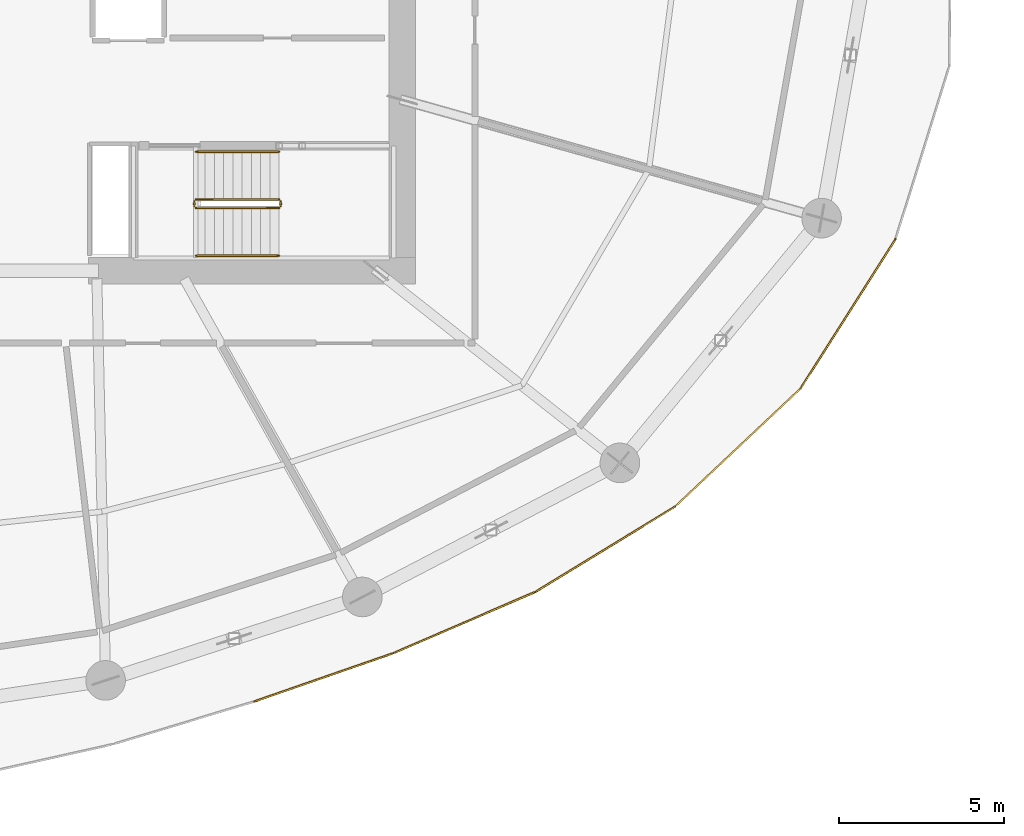
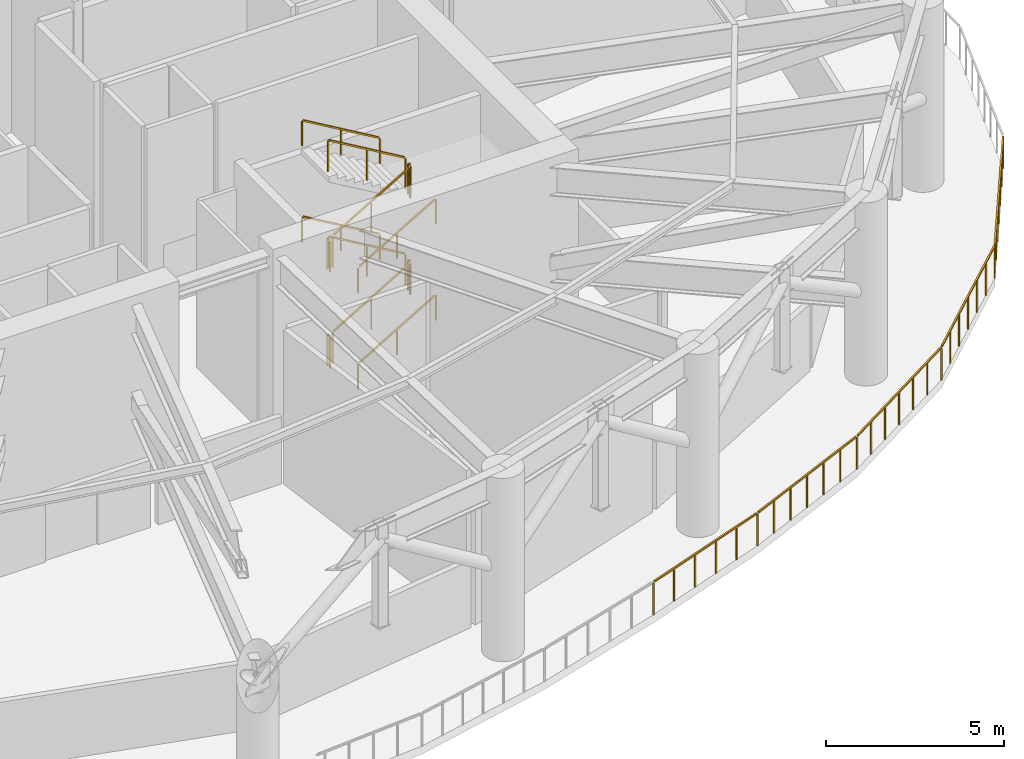
# One storey, part 17 of 19: 17 railings.
"""IFC4 building model written with IfcOpenShell, lengths in metres."""

import ifcopenshell
import ifcopenshell.guid

model = None  # the IFC model being written
_history = None  # IfcOwnerHistory: only IFC2X3 demands one
_inside = {}  # id of a spatial element -> (the spatial element, [elements in it])
_under = {}  # id of a project, library or spatial element -> (it, [spatial elements below it])
_declared = {}  # id of a project -> (the project, [libraries it declares])
_typed = {}  # id of a type object -> (the type object, [elements of that type])
_made_of = {}  # id of a material, layer set ... -> (it, [elements and type objects made of it])


def new_model(schema):
    """Start an empty IFC model of exactly this schema.

    Asked for "IFC4X3", IfcOpenShell would pick the latest addendum, in which some entities
    have other attributes; the version numbers below select the first issue.
    IFC2X3 requires an IfcOwnerHistory on every rooted entity: one is made here for all.
    """
    global model, _history
    if schema == "IFC4X3":
        model = ifcopenshell.file(schema_version=(4, 3, 0, 0))
    else:
        model = ifcopenshell.file(schema=schema)
    _inside.clear()
    _under.clear()
    _declared.clear()
    _typed.clear()
    _made_of.clear()
    _history = None
    if model.schema == "IFC2X3":
        org = make("IfcOrganization", Name="unknown")
        user = make(
            "IfcPersonAndOrganization",
            ThePerson=make("IfcPerson", FamilyName="unknown"),
            TheOrganization=org,
        )
        app = make(
            "IfcApplication",
            ApplicationDeveloper=org,
            Version="unknown",
            ApplicationFullName="unknown",
            ApplicationIdentifier="unknown",
        )
        _history = make(
            "IfcOwnerHistory",
            OwningUser=user,
            OwningApplication=app,
            ChangeAction="ADDED",
            CreationDate=0,
        )
    return model


def make(cls, **values):
    """One entity of the class cls with the attributes given. An attribute that is None is left unset."""
    return model.create_entity(
        cls, **{name: value for name, value in values.items() if value is not None}
    )


def rooted(cls, **values):
    """An entity with a GlobalId (a new one), such as an element, a storey or a relation."""
    return make(cls, GlobalId=ifcopenshell.guid.new(), OwnerHistory=_history, **values)


def si_unit(unit_type, name, prefix=None):
    """IfcSIUnit, for example si_unit("LENGTHUNIT", "METRE", prefix="MILLI")."""
    return make("IfcSIUnit", UnitType=unit_type, Prefix=prefix, Name=name)


def assignment(units):
    """IfcUnitAssignment: the units of a project."""
    return None if units is None else make("IfcUnitAssignment", Units=units)


def point(xyz):
    """IfcCartesianPoint."""
    return None if xyz is None else make("IfcCartesianPoint", Coordinates=xyz)


def direction(xyz):
    """IfcDirection."""
    return None if xyz is None else make("IfcDirection", DirectionRatios=xyz)


def frame(location, z_axis=None, x_axis=None):
    """IfcAxis2Placement3D, a coordinate frame: its origin and axes. An axis left out is left unset."""
    return make(
        "IfcAxis2Placement3D",
        Location=point(location),
        Axis=direction(z_axis),
        RefDirection=direction(x_axis),
    )


def frame_2d(location, x_axis=None):
    """IfcAxis2Placement2D, a coordinate frame in the plane: its origin and x axis."""
    return make(
        "IfcAxis2Placement2D", Location=point(location), RefDirection=direction(x_axis)
    )


def origin():
    """The frame at (0, 0, 0) with its axes left unset."""
    return frame((0.0, 0.0, 0.0))


def origin_2d():
    """The frame at (0, 0) in the plane with its x axis left unset."""
    return frame_2d((0.0, 0.0))


def place(relative_to, where):
    """IfcLocalPlacement: puts the frame where relative to a parent placement (None: the world)."""
    return make(
        "IfcLocalPlacement", PlacementRelTo=relative_to, RelativePlacement=where
    )


def context(
    kind, dimensions, precision=None, world=None, true_north=None, identifier=None
):
    """IfcGeometricRepresentationContext, for example the 3D "Model" context."""
    return make(
        "IfcGeometricRepresentationContext",
        ContextIdentifier=identifier,
        ContextType=kind,
        CoordinateSpaceDimension=dimensions,
        Precision=precision,
        WorldCoordinateSystem=world,
        TrueNorth=true_north,
    )


def subcontext(parent, identifier, kind, view, scale=None):
    """IfcGeometricRepresentationSubContext, for example "Body" below "Model"."""
    return make(
        "IfcGeometricRepresentationSubContext",
        ContextIdentifier=identifier,
        ContextType=kind,
        ParentContext=parent,
        TargetScale=scale,
        TargetView=view,
    )


def project(units=None, contexts=None):
    """IfcProject with its units and contexts."""
    return rooted(
        "IfcProject",
        Name="project",
        RepresentationContexts=contexts,
        UnitsInContext=assignment(units),
    )


def spatial(cls, under=None, at=None, **own):
    """A site, building, storey or space (cls), placed at a placement, below another one or the project."""
    s = rooted(cls, ObjectPlacement=at, **own)
    if under is not None:
        _under.setdefault(under.id(), (under, []))[1].append(s)
    return s


def profile(cls, at=None, kind="AREA", **sizes):
    """A parametric profile (cls). Its sizes go by their IFC names, for example OverallWidth=200.0."""
    return make(cls, ProfileType=kind, Position=at, **sizes)


def rectangle(**sizes):
    """IfcRectangleProfileDef."""
    return profile("IfcRectangleProfileDef", **sizes)


def extrude(swept, where, along, depth):
    """IfcExtrudedAreaSolid: the profile swept, set in the frame where, extruded along a direction by depth."""
    return make(
        "IfcExtrudedAreaSolid",
        SweptArea=swept,
        Position=where,
        ExtrudedDirection=direction(along),
        Depth=depth,
    )


def shape(context_of_items, identifier, shape_type, items):
    """IfcShapeRepresentation: the items that make up one representation, for example the "Body"."""
    return make(
        "IfcShapeRepresentation",
        ContextOfItems=context_of_items,
        RepresentationIdentifier=identifier,
        RepresentationType=shape_type,
        Items=items,
    )


def material(Name=None, Category=None):
    """IfcMaterial."""
    return make("IfcMaterial", Name=Name, Category=Category)


def made_of(thing, what):
    """Note that an element or type object is made of a material, layer set ...; save() writes the relation."""
    if what is not None:
        _made_of.setdefault(what.id(), (what, []))[1].append(thing)
    return thing


def type_object(cls, material=None, **own):
    """A type object (cls), such as IfcWallType, which elements share."""
    return made_of(rooted(cls, **own), material)


def element(
    cls,
    number,
    at=None,
    inside=None,
    cuts=None,
    type_object=None,
    material=None,
    context=None,
    identifier="Body",
    shape_type=None,
    held_by="IfcProductDefinitionShape",
    body=None,
    shapes=None,
    **own,
):
    """One element of the class cls, such as IfcWall. Its Tag is "e" and its number.

    at: its placement. inside: the storey or other place that contains it. cuts: it is an
    opening in that element (IfcRelVoidsElement). A single representation is given by context,
    identifier, shape_type and body (its items); several are given by shapes. held_by: the class
    of the entity that holds the representations. save() writes the other relations.
    """
    e = rooted(cls, Tag="e%d" % number, ObjectPlacement=at, **own)
    if body is not None:
        shapes = [shape(context, identifier, shape_type, body)]
    if shapes is not None:
        e.Representation = make(held_by, Representations=shapes)
    if inside is not None:
        _inside.setdefault(inside.id(), (inside, []))[1].append(e)
    if cuts is not None:
        rooted(
            "IfcRelVoidsElement", RelatingBuildingElement=cuts, RelatedOpeningElement=e
        )
    if type_object is not None:
        _typed.setdefault(type_object.id(), (type_object, []))[1].append(e)
    return made_of(e, material)


def aggregate(whole, parts):
    """IfcRelAggregates: a whole, such as a stair, and the parts it consists of."""
    return rooted("IfcRelAggregates", RelatingObject=whole, RelatedObjects=parts)


def save(model, path):
    """Write the relations noted so far, then the file.

    IfcRelAggregates (storeys below a building ...), IfcRelContainedInSpatialStructure (elements
    in a storey), IfcRelDefinesByType, IfcRelAssociatesMaterial and IfcRelDeclares: one each for
    every whole, place, type object, material and project.
    """
    for whole, parts in _under.values():
        aggregate(whole, parts)
    for where, things in _inside.values():
        rooted(
            "IfcRelContainedInSpatialStructure",
            RelatedElements=things,
            RelatingStructure=where,
        )
    for kind, things in _typed.values():
        rooted("IfcRelDefinesByType", RelatedObjects=things, RelatingType=kind)
    for what, things in _made_of.values():
        rooted("IfcRelAssociatesMaterial", RelatedObjects=things, RelatingMaterial=what)
    for by, libraries in _declared.values():
        rooted("IfcRelDeclares", RelatingContext=by, RelatedDefinitions=libraries)
    model.write(path)


model = new_model("IFC4")

# Units and contexts
model_context = context("Model", 3, precision=1e-05, world=origin(), true_north=direction((0.0, 1.0)))
body_context = subcontext(model_context, "Body", "Model", "MODEL_VIEW")
ifc_project = project(units=[si_unit("LENGTHUNIT", "METRE"), si_unit("AREAUNIT", "SQUARE_METRE"), si_unit("VOLUMEUNIT", "CUBIC_METRE"), si_unit("PLANEANGLEUNIT", "RADIAN"), si_unit("MASSUNIT", "GRAM", prefix="KILO")], contexts=[model_context])

# Site, building, storey
site_placement = place(None, origin())
site = spatial("IfcSite", under=ifc_project, at=site_placement, CompositionType="ELEMENT")
building_placement = place(site_placement, origin())
building = spatial("IfcBuilding", under=site, at=building_placement, Name="Kazma Halo Residences", CompositionType="ELEMENT")
storey_placement = place(building_placement, frame((0.0, 0.0, 116.39990234375)))
storey = spatial("IfcBuildingStorey", under=building, at=storey_placement, Name="L29", CompositionType="ELEMENT", Elevation=116.39990234375)

# Railings
ifc_material_1 = material(Name="Brushed Stainless Steel and Laminated Glass", Category="steel")
railing_type_1 = type_object("IfcRailingType", Name="RLG-EXT-GUARD-1150", PredefinedType="GUARDRAIL", material=ifc_material_1)
railing_1_placement = place(storey_placement, frame((54.971923828125, 20.542724609375, 0.0)))
element("IfcRailing", 1, at=railing_1_placement, inside=storey, type_object=railing_type_1, Name="L29 open wind-floor perimeter guard 25", PredefinedType="GUARDRAIL", context=body_context, shape_type="SweptSolid", body=[
    extrude(rectangle(XDim=0.050048828125, YDim=0.050048828125, at=origin_2d()), frame((0.040283203125, 0.013916015625, 1.125), z_axis=(0.944445210005, 0.328668899197, 0.0), x_axis=(-0.328668899197, 0.944445210005, 0.0)), (0.0, 0.0, 1.0), 4.38525390625),
    extrude(rectangle(XDim=0.0400390625, YDim=0.0400390625, at=origin_2d()), origin(), (0.0, 0.0, 1.0), 1.087890625),
    extrude(rectangle(XDim=0.0400390625, YDim=0.0400390625, at=origin_2d()), frame((0.844482421875, 0.2939453125, 0.0)), (0.0, 0.0, 1.0), 1.087890625),
    extrude(rectangle(XDim=0.0400390625, YDim=0.0400390625, at=origin_2d()), frame((1.688720703125, 0.587646484375, 0.0)), (0.0, 0.0, 1.0), 1.087890625),
    extrude(rectangle(XDim=0.0400390625, YDim=0.0400390625, at=origin_2d()), frame((2.533203125, 0.881591796875, 0.0)), (0.0, 0.0, 1.0), 1.087890625),
    extrude(rectangle(XDim=0.0400390625, YDim=0.0400390625, at=origin_2d()), frame((3.37744140625, 1.17529296875, 0.0)), (0.0, 0.0, 1.0), 1.087890625),
    extrude(rectangle(XDim=0.0400390625, YDim=0.0400390625, at=origin_2d()), frame((4.221923828125, 1.46923828125, 0.0)), (0.0, 0.0, 1.0), 1.087890625),
])
railing_2_placement = place(storey_placement, frame((59.19384765625, 22.011962890625, 0.0)))
element("IfcRailing", 2, at=railing_2_placement, inside=storey, type_object=railing_type_1, Name="L29 open wind-floor perimeter guard 26", PredefinedType="GUARDRAIL", context=body_context, shape_type="SweptSolid", body=[
    extrude(rectangle(XDim=0.050048828125, YDim=0.050048828125, at=origin_2d()), frame((0.0390625, 0.016845703125, 1.125), z_axis=(0.918132282696, 0.396274035829, 0.0), x_axis=(-0.396274035829, 0.918132282696, 0.0)), (0.0, 0.0, 1.0), 4.59228515625),
    extrude(rectangle(XDim=0.0400390625, YDim=0.0400390625, at=origin_2d()), origin(), (0.0, 0.0, 1.0), 1.087890625),
    extrude(rectangle(XDim=0.0400390625, YDim=0.0400390625, at=origin_2d()), frame((0.7158203125, 0.308837890625, 0.0)), (0.0, 0.0, 1.0), 1.087890625),
    extrude(rectangle(XDim=0.0400390625, YDim=0.0400390625, at=origin_2d()), frame((1.431396484375, 0.617919921875, 0.0)), (0.0, 0.0, 1.0), 1.087890625),
    extrude(rectangle(XDim=0.0400390625, YDim=0.0400390625, at=origin_2d()), frame((2.147216796875, 0.9267578125, 0.0)), (0.0, 0.0, 1.0), 1.087890625),
    extrude(rectangle(XDim=0.0400390625, YDim=0.0400390625, at=origin_2d()), frame((2.863037109375, 1.235595703125, 0.0)), (0.0, 0.0, 1.0), 1.087890625),
    extrude(rectangle(XDim=0.0400390625, YDim=0.0400390625, at=origin_2d()), frame((3.57861328125, 1.544677734375, 0.0)), (0.0, 0.0, 1.0), 1.087890625),
    extrude(rectangle(XDim=0.0400390625, YDim=0.0400390625, at=origin_2d()), frame((4.29443359375, 1.853515625, 0.0)), (0.0, 0.0, 1.0), 1.087890625),
])
railing_3_placement = place(storey_placement, frame((63.48828125, 23.865478515625, 0.0)))
element("IfcRailing", 3, at=railing_3_placement, inside=storey, type_object=railing_type_1, Name="L29 open wind-floor perimeter guard 27", PredefinedType="GUARDRAIL", context=body_context, shape_type="SweptSolid", body=[
    extrude(rectangle(XDim=0.050048828125, YDim=0.050048828125, at=origin_2d()), frame((0.036376953125, 0.022216796875, 1.125), z_axis=(0.853274535236, 0.521461952128, 0.0), x_axis=(-0.521461952128, 0.853274535236, 0.0)), (0.0, 0.0, 1.0), 4.876220703125),
    extrude(rectangle(XDim=0.0400390625, YDim=0.0400390625, at=origin_2d()), origin(), (0.0, 0.0, 1.0), 1.087890625),
    extrude(rectangle(XDim=0.0400390625, YDim=0.0400390625, at=origin_2d()), frame((0.70556640625, 0.43115234375, 0.0)), (0.0, 0.0, 1.0), 1.087890625),
    extrude(rectangle(XDim=0.0400390625, YDim=0.0400390625, at=origin_2d()), frame((1.4111328125, 0.8623046875, 0.0)), (0.0, 0.0, 1.0), 1.087890625),
    extrude(rectangle(XDim=0.0400390625, YDim=0.0400390625, at=origin_2d()), frame((2.11669921875, 1.29345703125, 0.0)), (0.0, 0.0, 1.0), 1.087890625),
    extrude(rectangle(XDim=0.0400390625, YDim=0.0400390625, at=origin_2d()), frame((2.822265625, 1.724853515625, 0.0)), (0.0, 0.0, 1.0), 1.087890625),
    extrude(rectangle(XDim=0.0400390625, YDim=0.0400390625, at=origin_2d()), frame((3.52783203125, 2.156005859375, 0.0)), (0.0, 0.0, 1.0), 1.087890625),
    extrude(rectangle(XDim=0.0400390625, YDim=0.0400390625, at=origin_2d()), frame((4.2333984375, 2.587158203125, 0.0)), (0.0, 0.0, 1.0), 1.087890625),
])
railing_4_placement = place(storey_placement, frame((67.7216796875, 26.45263671875, 0.0)))
element("IfcRailing", 4, at=railing_4_placement, inside=storey, type_object=railing_type_1, Name="L29 open wind-floor perimeter guard 28", PredefinedType="GUARDRAIL", context=body_context, shape_type="SweptSolid", body=[
    extrude(rectangle(XDim=0.050048828125, YDim=0.050048828125, at=origin_2d()), frame((0.031005859375, 0.029052734375, 1.125), z_axis=(0.728216516119, 0.685347142441, 0.0), x_axis=(-0.685347142441, 0.728216516119, 0.0)), (0.0, 0.0, 1.0), 5.1201171875),
    extrude(rectangle(XDim=0.0400390625, YDim=0.0400390625, at=origin_2d()), origin(), (0.0, 0.0, 1.0), 1.087890625),
    extrude(rectangle(XDim=0.0400390625, YDim=0.0400390625, at=origin_2d()), frame((0.6318359375, 0.594482421875, 0.0)), (0.0, 0.0, 1.0), 1.087890625),
    extrude(rectangle(XDim=0.0400390625, YDim=0.0400390625, at=origin_2d()), frame((1.263427734375, 1.189208984375, 0.0)), (0.0, 0.0, 1.0), 1.087890625),
    extrude(rectangle(XDim=0.0400390625, YDim=0.0400390625, at=origin_2d()), frame((1.895263671875, 1.78369140625, 0.0)), (0.0, 0.0, 1.0), 1.087890625),
    extrude(rectangle(XDim=0.0400390625, YDim=0.0400390625, at=origin_2d()), frame((2.527099609375, 2.378173828125, 0.0)), (0.0, 0.0, 1.0), 1.087890625),
    extrude(rectangle(XDim=0.0400390625, YDim=0.0400390625, at=origin_2d()), frame((3.15869140625, 2.972900390625, 0.0)), (0.0, 0.0, 1.0), 1.087890625),
    extrude(rectangle(XDim=0.0400390625, YDim=0.0400390625, at=origin_2d()), frame((3.79052734375, 3.5673828125, 0.0)), (0.0, 0.0, 1.0), 1.087890625),
])
railing_5_placement = place(storey_placement, frame((71.51220703125, 30.02001953125, 0.0)))
element("IfcRailing", 5, at=railing_5_placement, inside=storey, type_object=railing_type_1, Name="L29 open wind-floor perimeter guard 29", PredefinedType="GUARDRAIL", context=body_context, shape_type="SweptSolid", body=[
    extrude(rectangle(XDim=0.050048828125, YDim=0.050048828125, at=origin_2d()), frame((0.02294921875, 0.035888671875, 1.125), z_axis=(0.537075302208, 0.843534302656, 0.0), x_axis=(-0.843534302656, 0.537075302208, 0.0)), (0.0, 0.0, 1.0), 5.290771484375),
    extrude(rectangle(XDim=0.0400390625, YDim=0.0400390625, at=origin_2d()), origin(), (0.0, 0.0, 1.0), 1.087890625),
    extrude(rectangle(XDim=0.0400390625, YDim=0.0400390625, at=origin_2d()), frame((0.481201171875, 0.755859375, 0.0)), (0.0, 0.0, 1.0), 1.087890625),
    extrude(rectangle(XDim=0.0400390625, YDim=0.0400390625, at=origin_2d()), frame((0.96240234375, 1.511474609375, 0.0)), (0.0, 0.0, 1.0), 1.087890625),
    extrude(rectangle(XDim=0.0400390625, YDim=0.0400390625, at=origin_2d()), frame((1.443603515625, 2.267333984375, 0.0)), (0.0, 0.0, 1.0), 1.087890625),
    extrude(rectangle(XDim=0.0400390625, YDim=0.0400390625, at=origin_2d()), frame((1.9248046875, 3.023193359375, 0.0)), (0.0, 0.0, 1.0), 1.087890625),
    extrude(rectangle(XDim=0.0400390625, YDim=0.0400390625, at=origin_2d()), frame((2.406005859375, 3.77880859375, 0.0)), (0.0, 0.0, 1.0), 1.087890625),
    extrude(rectangle(XDim=0.0400390625, YDim=0.0400390625, at=origin_2d()), frame((2.88720703125, 4.53466796875, 0.0)), (0.0, 0.0, 1.0), 1.087890625),
])
ifc_material_2 = material(Name="Painted Steel S355", Category="steel")
railing_type_2 = type_object("IfcRailingType", Name="RLG-STAIR-GRD-1100", PredefinedType="GUARDRAIL", material=ifc_material_2)
railing_6_placement = place(storey_placement, frame((53.199951171875, 35.5, 0.1650390625)))
element("IfcRailing", 6, at=railing_6_placement, inside=storey, type_object=railing_type_2, Name="L29 ST-03 stair guard 1", PredefinedType="GUARDRAIL", context=body_context, shape_type="SweptSolid", body=[
    extrude(rectangle(XDim=0.050048828125, YDim=0.050048828125, at=origin_2d()), frame((0.03662109375, 0.0, 1.0966796875), z_axis=(0.86152411907, 0.0, 0.507716645641), x_axis=(0.0, 1.0, 0.0)), (0.0, 0.0, 1.0), 2.840087890625),
    extrude(rectangle(XDim=0.0400390625, YDim=0.0400390625, at=origin_2d()), origin(), (0.0, 0.0, 1.0), 1.0380859375),
    extrude(rectangle(XDim=0.0400390625, YDim=0.0400390625, at=origin_2d()), frame((1.260009765625, 0.0, 0.74267578125)), (0.0, 0.0, 1.0), 1.0380859375),
    extrude(rectangle(XDim=0.0400390625, YDim=0.0400390625, at=origin_2d()), frame((2.52001953125, 0.0, 1.485107421875)), (0.0, 0.0, 1.0), 1.0380859375),
])
railing_7_placement = place(storey_placement, frame((55.77001953125, 35.550048828125, 1.650146484375)))
element("IfcRailing", 7, at=railing_7_placement, inside=storey, type_object=railing_type_2, Name="L29 ST-03 stair guard 2", PredefinedType="GUARDRAIL", context=body_context, shape_type="SweptSolid", body=[
    extrude(rectangle(XDim=0.050048828125, YDim=0.050048828125, at=origin_2d()), frame((0.0, 0.04248046875, 1.0751953125), z_axis=(0.0, 1.0, 0.0), x_axis=(-1.0, 0.0, 0.0)), (0.0, 0.0, 1.0), 0.06494140625),
    extrude(rectangle(XDim=0.0400390625, YDim=0.0400390625, at=origin_2d()), origin(), (0.0, 0.0, 1.0), 1.0380859375),
    extrude(rectangle(XDim=0.0400390625, YDim=0.0400390625, at=origin_2d()), frame((0.0, 0.14990234375, 0.0)), (0.0, 0.0, 1.0), 1.0380859375),
])
railing_8_placement = place(storey_placement, frame((55.719970703125, 35.75, 1.815185546875)))
element("IfcRailing", 8, at=railing_8_placement, inside=storey, type_object=railing_type_2, Name="L29 ST-03 stair guard 3", PredefinedType="GUARDRAIL", context=body_context, shape_type="SweptSolid", body=[
    extrude(rectangle(XDim=0.050048828125, YDim=0.050048828125, at=origin_2d()), frame((-0.03662109375, 0.0, 1.0966796875), z_axis=(-0.861560626758, 0.0, 0.507654692109), x_axis=(0.0, -1.0, 0.0)), (0.0, 0.0, 1.0), 2.83984375),
    extrude(rectangle(XDim=0.0400390625, YDim=0.0400390625, at=origin_2d()), origin(), (0.0, 0.0, 1.0), 1.0380859375),
    extrude(rectangle(XDim=0.0400390625, YDim=0.0400390625, at=origin_2d()), frame((-1.260009765625, 0.0, 0.742431640625)), (0.0, 0.0, 1.0), 1.0380859375),
    extrude(rectangle(XDim=0.0400390625, YDim=0.0400390625, at=origin_2d()), frame((-2.52001953125, 0.0, 1.48486328125)), (0.0, 0.0, 1.0), 1.0380859375),
])
railing_9_placement = place(storey_placement, frame((53.14990234375, 35.550048828125, 3.300048828125)))
element("IfcRailing", 9, at=railing_9_placement, inside=storey, type_object=railing_type_2, Name="L29 ST-03 stair guard 4", PredefinedType="GUARDRAIL", context=body_context, shape_type="SweptSolid", body=[
    extrude(rectangle(XDim=0.050048828125, YDim=0.050048828125, at=origin_2d()), frame((0.0, 0.04248046875, 1.0751953125), z_axis=(0.0, 1.0, 0.0), x_axis=(-1.0, 0.0, 0.0)), (0.0, 0.0, 1.0), 0.06494140625),
    extrude(rectangle(XDim=0.0400390625, YDim=0.0400390625, at=origin_2d()), origin(), (0.0, 0.0, 1.0), 1.0380859375),
    extrude(rectangle(XDim=0.0400390625, YDim=0.0400390625, at=origin_2d()), frame((0.0, 0.14990234375, 0.0)), (0.0, 0.0, 1.0), 1.0380859375),
])
railing_10_placement = place(storey_placement, frame((53.199951171875, 35.5, 3.465087890625)))
element("IfcRailing", 10, at=railing_10_placement, inside=storey, type_object=railing_type_2, Name="L29 ST-03 stair guard 5", PredefinedType="GUARDRAIL", context=body_context, shape_type="SweptSolid", body=[
    extrude(rectangle(XDim=0.050048828125, YDim=0.050048828125, at=origin_2d()), frame((0.03662109375, 0.0, 1.0966796875), z_axis=(0.86152411907, 0.0, 0.507716645641), x_axis=(0.0, 1.0, 0.0)), (0.0, 0.0, 1.0), 2.840087890625),
    extrude(rectangle(XDim=0.0400390625, YDim=0.0400390625, at=origin_2d()), origin(), (0.0, 0.0, 1.0), 1.0380859375),
    extrude(rectangle(XDim=0.0400390625, YDim=0.0400390625, at=origin_2d()), frame((1.260009765625, 0.0, 0.74267578125)), (0.0, 0.0, 1.0), 1.0380859375),
    extrude(rectangle(XDim=0.0400390625, YDim=0.0400390625, at=origin_2d()), frame((2.52001953125, 0.0, 1.485107421875)), (0.0, 0.0, 1.0), 1.0380859375),
])
railing_11_placement = place(storey_placement, frame((55.77001953125, 35.550048828125, 4.9501953125)))
element("IfcRailing", 11, at=railing_11_placement, inside=storey, type_object=railing_type_2, Name="L29 ST-03 stair guard 6", PredefinedType="GUARDRAIL", context=body_context, shape_type="SweptSolid", body=[
    extrude(rectangle(XDim=0.050048828125, YDim=0.050048828125, at=origin_2d()), frame((0.0, 0.04248046875, 1.0751953125), z_axis=(0.0, 1.0, 0.0), x_axis=(-1.0, 0.0, 0.0)), (0.0, 0.0, 1.0), 0.06494140625),
    extrude(rectangle(XDim=0.0400390625, YDim=0.0400390625, at=origin_2d()), origin(), (0.0, 0.0, 1.0), 1.0380859375),
    extrude(rectangle(XDim=0.0400390625, YDim=0.0400390625, at=origin_2d()), frame((0.0, 0.14990234375, 0.0)), (0.0, 0.0, 1.0), 1.0380859375),
])
railing_12_placement = place(storey_placement, frame((55.719970703125, 35.75, 5.114990234375)))
element("IfcRailing", 12, at=railing_12_placement, inside=storey, type_object=railing_type_2, Name="L29 ST-03 stair guard 7", PredefinedType="GUARDRAIL", context=body_context, shape_type="SweptSolid", body=[
    extrude(rectangle(XDim=0.050048828125, YDim=0.050048828125, at=origin_2d()), frame((-0.03662109375, 0.0, 1.0966796875), z_axis=(-0.86152411907, 0.0, 0.507716645641), x_axis=(0.0, -1.0, 0.0)), (0.0, 0.0, 1.0), 2.840087890625),
    extrude(rectangle(XDim=0.0400390625, YDim=0.0400390625, at=origin_2d()), origin(), (0.0, 0.0, 1.0), 1.0380859375),
    extrude(rectangle(XDim=0.0400390625, YDim=0.0400390625, at=origin_2d()), frame((-1.260009765625, 0.0, 0.74267578125)), (0.0, 0.0, 1.0), 1.0380859375),
    extrude(rectangle(XDim=0.0400390625, YDim=0.0400390625, at=origin_2d()), frame((-2.52001953125, 0.0, 1.485107421875)), (0.0, 0.0, 1.0), 1.0380859375),
])
railing_13_placement = place(storey_placement, frame((53.14990234375, 35.550048828125, 0.0)))
element("IfcRailing", 13, at=railing_13_placement, inside=storey, type_object=railing_type_2, Name="L29 ST-03 stair guard 8", PredefinedType="GUARDRAIL", context=body_context, shape_type="SweptSolid", body=[
    extrude(rectangle(XDim=0.050048828125, YDim=0.050048828125, at=origin_2d()), frame((0.0, 0.04248046875, 1.0751953125), z_axis=(0.0, 1.0, 0.0), x_axis=(-1.0, 0.0, 0.0)), (0.0, 0.0, 1.0), 0.06494140625),
    extrude(rectangle(XDim=0.0400390625, YDim=0.0400390625, at=origin_2d()), origin(), (0.0, 0.0, 1.0), 1.0380859375),
    extrude(rectangle(XDim=0.0400390625, YDim=0.0400390625, at=origin_2d()), frame((0.0, 0.14990234375, 0.0)), (0.0, 0.0, 1.0), 1.0380859375),
])
ifc_material_3 = material(Name="Brushed Stainless Steel", Category="steel")
railing_type_3 = type_object("IfcRailingType", Name="RLG-STAIR-HND-900", PredefinedType="HANDRAIL", material=ifc_material_3)
railing_14_placement = place(storey_placement, frame((53.199951171875, 34.050048828125, 0.1650390625)))
element("IfcRailing", 14, at=railing_14_placement, inside=storey, type_object=railing_type_3, Name="L29 ST-03 stair handrail 1", PredefinedType="HANDRAIL", context=body_context, shape_type="SweptSolid", body=[
    extrude(rectangle(XDim=0.050048828125, YDim=0.050048828125, at=origin_2d()), frame((0.03662109375, 0.0, 0.896484375), z_axis=(0.86152411907, 0.0, 0.507716645641), x_axis=(0.0, 1.0, 0.0)), (0.0, 0.0, 1.0), 2.840087890625),
    extrude(rectangle(XDim=0.0400390625, YDim=0.0400390625, at=origin_2d()), origin(), (0.0, 0.0, 1.0), 0.837890625),
    extrude(rectangle(XDim=0.0400390625, YDim=0.0400390625, at=origin_2d()), frame((1.260009765625, 0.0, 0.74267578125)), (0.0, 0.0, 1.0), 0.837890625),
    extrude(rectangle(XDim=0.0400390625, YDim=0.0400390625, at=origin_2d()), frame((2.52001953125, 0.0, 1.485107421875)), (0.0, 0.0, 1.0), 0.837890625),
])
railing_15_placement = place(storey_placement, frame((55.719970703125, 37.199951171875, 1.815185546875)))
element("IfcRailing", 15, at=railing_15_placement, inside=storey, type_object=railing_type_3, Name="L29 ST-03 stair handrail 2", PredefinedType="HANDRAIL", context=body_context, shape_type="SweptSolid", body=[
    extrude(rectangle(XDim=0.050048828125, YDim=0.050048828125, at=origin_2d()), frame((-0.03662109375, 0.0, 0.896484375), z_axis=(-0.861560626758, 0.0, 0.507654692109), x_axis=(0.0, -1.0, 0.0)), (0.0, 0.0, 1.0), 2.83984375),
    extrude(rectangle(XDim=0.0400390625, YDim=0.0400390625, at=origin_2d()), origin(), (0.0, 0.0, 1.0), 0.837890625),
    extrude(rectangle(XDim=0.0400390625, YDim=0.0400390625, at=origin_2d()), frame((-1.260009765625, 0.0, 0.742431640625)), (0.0, 0.0, 1.0), 0.837890625),
    extrude(rectangle(XDim=0.0400390625, YDim=0.0400390625, at=origin_2d()), frame((-2.52001953125, 0.0, 1.48486328125)), (0.0, 0.0, 1.0), 0.837890625),
])
railing_16_placement = place(storey_placement, frame((53.199951171875, 34.050048828125, 3.465087890625)))
element("IfcRailing", 16, at=railing_16_placement, inside=storey, type_object=railing_type_3, Name="L29 ST-03 stair handrail 3", PredefinedType="HANDRAIL", context=body_context, shape_type="SweptSolid", body=[
    extrude(rectangle(XDim=0.050048828125, YDim=0.050048828125, at=origin_2d()), frame((0.03662109375, 0.0, 0.896484375), z_axis=(0.86152411907, 0.0, 0.507716645641), x_axis=(0.0, 1.0, 0.0)), (0.0, 0.0, 1.0), 2.840087890625),
    extrude(rectangle(XDim=0.0400390625, YDim=0.0400390625, at=origin_2d()), origin(), (0.0, 0.0, 1.0), 0.837890625),
    extrude(rectangle(XDim=0.0400390625, YDim=0.0400390625, at=origin_2d()), frame((1.260009765625, 0.0, 0.74267578125)), (0.0, 0.0, 1.0), 0.837890625),
    extrude(rectangle(XDim=0.0400390625, YDim=0.0400390625, at=origin_2d()), frame((2.52001953125, 0.0, 1.485107421875)), (0.0, 0.0, 1.0), 0.837890625),
])
railing_17_placement = place(storey_placement, frame((55.719970703125, 37.199951171875, 5.114990234375)))
element("IfcRailing", 17, at=railing_17_placement, inside=storey, type_object=railing_type_3, Name="L29 ST-03 stair handrail 4", PredefinedType="HANDRAIL", context=body_context, shape_type="SweptSolid", body=[
    extrude(rectangle(XDim=0.050048828125, YDim=0.050048828125, at=origin_2d()), frame((-0.03662109375, 0.0, 0.896484375), z_axis=(-0.86152411907, 0.0, 0.507716645641), x_axis=(0.0, -1.0, 0.0)), (0.0, 0.0, 1.0), 2.840087890625),
    extrude(rectangle(XDim=0.0400390625, YDim=0.0400390625, at=origin_2d()), origin(), (0.0, 0.0, 1.0), 0.837890625),
    extrude(rectangle(XDim=0.0400390625, YDim=0.0400390625, at=origin_2d()), frame((-1.260009765625, 0.0, 0.74267578125)), (0.0, 0.0, 1.0), 0.837890625),
    extrude(rectangle(XDim=0.0400390625, YDim=0.0400390625, at=origin_2d()), frame((-2.52001953125, 0.0, 1.485107421875)), (0.0, 0.0, 1.0), 0.837890625),
])

save(model, "model.ifc")
